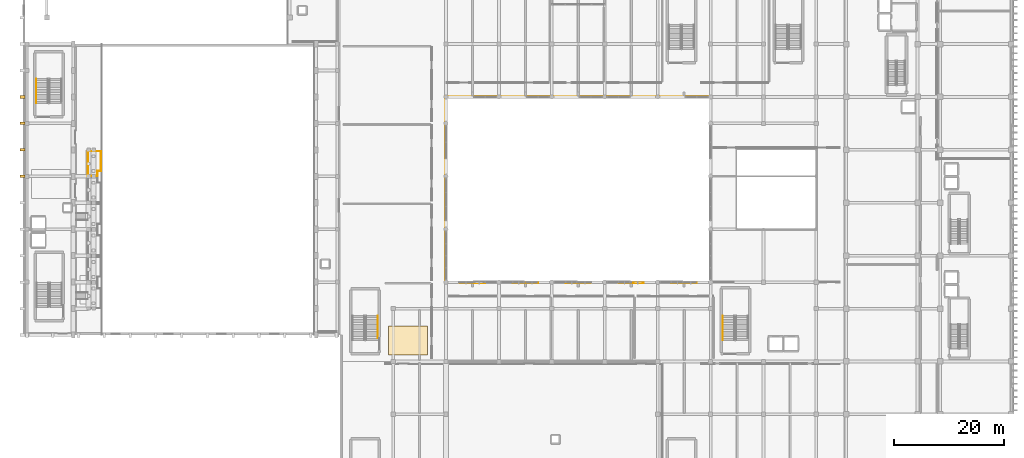
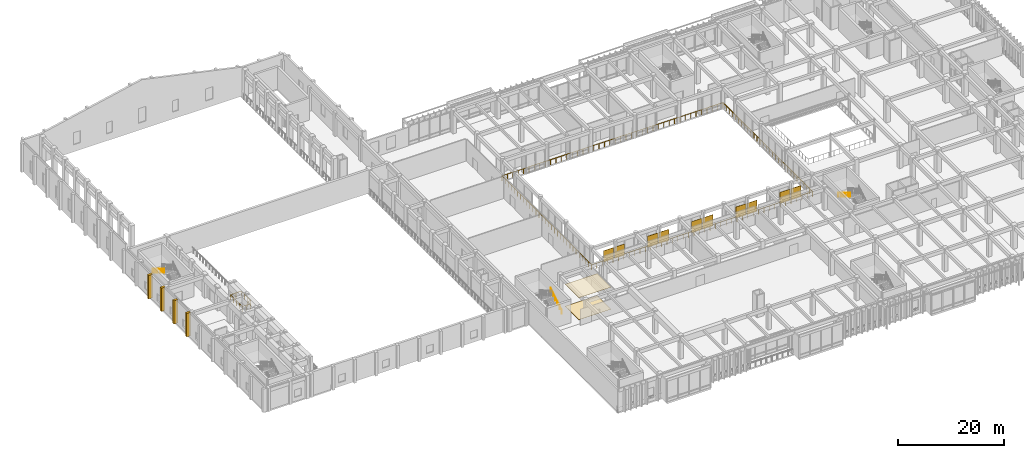
# One storey, part 122 of 134: 10 shading devices, 6 coverings, 5 railings.
"""IFC4 building model written with IfcOpenShell, lengths in metres."""

from ifc_helpers import new_model, si_unit, direction, frame, origin, origin_2d, place, context, subcontext, project, spatial, polyline, rectangle, circle, outline, extrude, material, layer, layer_set, type_object, element, save


model = new_model("IFC4")

# Units and contexts
model_context = context("Model", 3, precision=1e-05, world=origin(), true_north=direction((0.0, 1.0)))
body_context = subcontext(model_context, "Body", "Model", "MODEL_VIEW")
ifc_project = project(units=[si_unit("LENGTHUNIT", "METRE"), si_unit("AREAUNIT", "SQUARE_METRE"), si_unit("VOLUMEUNIT", "CUBIC_METRE"), si_unit("PLANEANGLEUNIT", "RADIAN"), si_unit("MASSUNIT", "GRAM", prefix="KILO")], contexts=[model_context])

# Site, building, storey
site_placement = place(None, origin())
site = spatial("IfcSite", under=ifc_project, at=site_placement, CompositionType="ELEMENT")
building_placement = place(site_placement, origin())
building = spatial("IfcBuilding", under=site, at=building_placement, Name="Nakhvara Creek Congress Hotel", CompositionType="ELEMENT")
storey_placement = place(building_placement, frame((0.0, 0.0, 6.0)))
storey = spatial("IfcBuildingStorey", under=building, at=storey_placement, Name="L01", CompositionType="ELEMENT", Elevation=6.0)

# Coverings
ifc_material_1 = material(Name="Honed pale Omani limestone architectural cladding", Category="masonry")
ifc_layer_1 = layer(ifc_material_1, 0.449951171875)
ifc_layer_set_1 = layer_set([ifc_layer_1], Name="Honed pale Omani limestone architectural cladding")
covering_type_1 = type_object("IfcCoveringType", Name="COV-BUTT-850", PredefinedType="CLADDING", material=ifc_layer_set_1)
for number, where, z_axis, x_axis, name in (
    (1, (-0.06494140625, 62.39990234375, 0.0), (0.0, 0.0, 1.0), (0.0, 1.0, 0.0), "Gothic Limestone Buttress Pier CF03-0440"),
    (2, (-0.06494140625, 67.199951171875, 0.0), (0.0, 0.0, 1.0), (0.0, 1.0, 0.0), "Gothic Limestone Buttress Pier CF03-0441"),
    (3, (-0.06494140625, 72.0, 0.0), (0.0, 0.0, 1.0), (0.0, 1.0, 0.0), "Gothic Limestone Buttress Pier CF03-0442"),
    (4, (-0.06494140625, 76.800048828125, 0.0), (0.0, 0.0, 1.0), (0.0, 1.0, 0.0), "Gothic Limestone Buttress Pier CF03-0443"),
):
    element("IfcCovering", number, at=place(storey_placement, frame(where, z_axis=z_axis, x_axis=x_axis)), inside=storey, type_object=covering_type_1, Name=name, PredefinedType="CLADDING", context=body_context, shape_type="SweptSolid", body=[
        extrude(rectangle(XDim=0.47998046875, YDim=0.85009765625, at=origin_2d()), origin(), (0.0, 0.0, 1.0), 5.39990234375),
    ])
ifc_material_2 = material(Name="Acoustic mineral-fibre and gypsum ceiling board")
ifc_layer_2 = layer(ifc_material_2, 0.0400390625)
ifc_layer_set_2 = layer_set([ifc_layer_2], Name="Acoustic mineral-fibre and gypsum ceiling board")
covering_type_2 = type_object("IfcCoveringType", Name="COV-CEIL-AC", PredefinedType="CEILING", material=ifc_layer_set_2)
covering_1_placement = place(storey_placement, frame((0.0, 0.0, 5.06494140625)))
element("IfcCovering", 5, at=covering_1_placement, inside=storey, type_object=covering_type_2, Name="Acoustic Ceiling L01-MT-01", PredefinedType="CEILING", context=body_context, shape_type="SweptSolid", body=[
    extrude(outline(polyline([(66.39990234375, 30.0), (73.39990234375, 30.0), (73.39990234375, 35.199951171875), (66.39990234375, 35.199951171875), (66.39990234375, 30.0)])), origin(), (0.0, 0.0, 1.0), 0.03515625),
])
ifc_material_3 = material(Name="Honed limestone and terrazzo acoustic floor finish", Category="masonry")
ifc_layer_3 = layer(ifc_material_3, 0.044921875)
ifc_layer_set_3 = layer_set([ifc_layer_3], Name="Honed limestone and terrazzo acoustic floor finish")
covering_type_3 = type_object("IfcCoveringType", Name="COV-FLR-TER", PredefinedType="FLOORING", material=ifc_layer_set_3)
covering_2_placement = place(storey_placement, origin())
element("IfcCovering", 6, at=covering_2_placement, inside=storey, type_object=covering_type_3, Name="Floor Finish L01-MT-01", PredefinedType="FLOORING", context=body_context, shape_type="SweptSolid", body=[
    extrude(outline(polyline([(66.39990234375, 30.0), (73.39990234375, 30.0), (73.39990234375, 35.199951171875), (66.39990234375, 35.199951171875), (66.39990234375, 30.0)])), origin(), (0.0, 0.0, 1.0), 0.030029296875),
])

# Railings
ifc_material_4 = material(Name="Bronze-anodised aluminium and laminated safety glass balustrade", Category="aluminium")
railing_type_1 = type_object("IfcRailingType", Name="RL-BALUS-1200", PredefinedType="BALUSTRADE", material=ifc_material_4)
railing_1_placement = place(storey_placement, frame((11.81005859375, 62.4599609375, 1.35009765625)))
element("IfcRailing", 7, at=railing_1_placement, inside=storey, type_object=railing_type_1, Name="Stand Tier Balustrade L01-06", PredefinedType="BALUSTRADE", context=body_context, shape_type="SweptSolid", body=[
    extrude(circle(Radius=0.02392578125, at=origin_2d()), frame((0.0146484375, 0.0, 1.17578125), z_axis=(1.0, 0.0, 0.0), x_axis=(0.0, 1.0, 0.0)), (0.0, 0.0, 1.0), 1.690673828125),
    extrude(circle(Radius=0.02392578125, at=origin_2d()), frame((1.719970703125, 0.0146484375, 1.17578125), z_axis=(0.0, 1.0, 0.0), x_axis=(-1.0, 0.0, 0.0)), (0.0, 0.0, 1.0), 0.870849609375),
    extrude(circle(Radius=0.02392578125, at=origin_2d()), frame((1.734619140625, 0.900146484375, 1.17578125), z_axis=(1.0, 0.0, 0.0), x_axis=(0.0, 1.0, 0.0)), (0.0, 0.0, 1.0), 0.62060546875),
    extrude(circle(Radius=0.02392578125, at=origin_2d()), frame((2.369873046875, 0.914794921875, 1.17578125), z_axis=(0.0, 1.0, 0.0), x_axis=(-1.0, 0.0, 0.0)), (0.0, 0.0, 1.0), 3.550537109375),
    extrude(circle(Radius=0.02392578125, at=origin_2d()), frame((2.355224609375, 4.47998046875, 1.17578125), z_axis=(-1.0, 0.0, 0.0), x_axis=(0.0, -1.0, 0.0)), (0.0, 0.0, 1.0), 2.340576171875),
    extrude(circle(Radius=0.02392578125, at=origin_2d()), frame((0.0, 4.46533203125, 1.17578125), z_axis=(0.0, -1.0, 0.0), x_axis=(1.0, 0.0, 0.0)), (0.0, 0.0, 1.0), 4.45068359375),
    extrude(circle(Radius=0.02099609375, at=origin_2d()), origin(), (0.0, 0.0, 1.0), 1.1806640625),
    extrude(circle(Radius=0.02099609375, at=origin_2d()), frame((0.85986328125, 0.0, 0.0)), (0.0, 0.0, 1.0), 1.1806640625),
    extrude(circle(Radius=0.02099609375, at=origin_2d()), frame((1.719970703125, 0.0, 0.0)), (0.0, 0.0, 1.0), 1.1806640625),
    extrude(circle(Radius=0.02099609375, at=origin_2d()), frame((1.719970703125, 0.900146484375, 0.0)), (0.0, 0.0, 1.0), 1.1806640625),
    extrude(circle(Radius=0.02099609375, at=origin_2d()), frame((2.369873046875, 0.900146484375, 0.0)), (0.0, 0.0, 1.0), 1.1806640625),
    extrude(circle(Radius=0.02099609375, at=origin_2d()), frame((2.369873046875, 2.093505859375, 0.0)), (0.0, 0.0, 1.0), 1.1806640625),
    extrude(circle(Radius=0.02099609375, at=origin_2d()), frame((2.369873046875, 3.28662109375, 0.0)), (0.0, 0.0, 1.0), 1.1806640625),
    extrude(circle(Radius=0.02099609375, at=origin_2d()), frame((2.369873046875, 4.47998046875, 0.0)), (0.0, 0.0, 1.0), 1.1806640625),
    extrude(circle(Radius=0.02099609375, at=origin_2d()), frame((1.18505859375, 4.47998046875, 0.0)), (0.0, 0.0, 1.0), 1.1806640625),
    extrude(circle(Radius=0.02099609375, at=origin_2d()), frame((0.0, 4.47998046875, 0.0)), (0.0, 0.0, 1.0), 1.1806640625),
    extrude(circle(Radius=0.02099609375, at=origin_2d()), frame((0.0, 3.35986328125, 0.0)), (0.0, 0.0, 1.0), 1.1806640625),
    extrude(circle(Radius=0.02099609375, at=origin_2d()), frame((0.0, 2.239990234375, 0.0)), (0.0, 0.0, 1.0), 1.1806640625),
    extrude(circle(Radius=0.02099609375, at=origin_2d()), frame((0.0, 1.1201171875, 0.0)), (0.0, 0.0, 1.0), 1.1806640625),
])
ifc_material_5 = material(Name="Brushed stainless steel 316L", Category="steel")
railing_type_2 = type_object("IfcRailingType", Name="RL-GUARD-1200", PredefinedType="GUARDRAIL", material=ifc_material_5)
railing_2_placement = place(storey_placement, frame((76.719970703125, 43.1201171875, 0.0)))
element("IfcRailing", 8, at=railing_2_placement, inside=storey, type_object=railing_type_2, Name="Cloister Courtyard Perimeter Guardrail L01", PredefinedType="GUARDRAIL", context=body_context, shape_type="SweptSolid", body=[
    extrude(circle(Radius=0.02392578125, at=origin_2d()), frame((0.0146484375, 0.0, 1.17578125), z_axis=(1.0, 0.0, 0.0), x_axis=(0.0, 1.0, 0.0)), (0.0, 0.0, 1.0), 48.130615234375),
    extrude(circle(Radius=0.02392578125, at=origin_2d()), frame((48.159912109375, 0.0146484375, 1.17578125), z_axis=(0.0, 1.0, 0.0), x_axis=(-1.0, 0.0, 0.0)), (0.0, 0.0, 1.0), 33.73046875),
    extrude(circle(Radius=0.02392578125, at=origin_2d()), frame((48.145263671875, 33.759765625, 1.17578125), z_axis=(-1.0, 0.0, 0.0), x_axis=(0.0, -1.0, 0.0)), (0.0, 0.0, 1.0), 48.130615234375),
    extrude(circle(Radius=0.02392578125, at=origin_2d()), frame((0.0, 33.7451171875, 1.17578125), z_axis=(0.0, -1.0, 0.0), x_axis=(1.0, 0.0, 0.0)), (0.0, 0.0, 1.0), 33.73046875),
    extrude(circle(Radius=0.02099609375, at=origin_2d()), origin(), (0.0, 0.0, 1.0), 1.1806640625),
    extrude(circle(Radius=0.02099609375, at=origin_2d()), frame((1.174560546875, 0.0, 0.0)), (0.0, 0.0, 1.0), 1.1806640625),
    extrude(circle(Radius=0.02099609375, at=origin_2d()), frame((2.349365234375, 0.0, 0.0)), (0.0, 0.0, 1.0), 1.1806640625),
    extrude(circle(Radius=0.02099609375, at=origin_2d()), frame((3.52392578125, 0.0, 0.0)), (0.0, 0.0, 1.0), 1.1806640625),
    extrude(circle(Radius=0.02099609375, at=origin_2d()), frame((4.698486328125, 0.0, 0.0)), (0.0, 0.0, 1.0), 1.1806640625),
    extrude(circle(Radius=0.02099609375, at=origin_2d()), frame((5.873046875, 0.0, 0.0)), (0.0, 0.0, 1.0), 1.1806640625),
    extrude(circle(Radius=0.02099609375, at=origin_2d()), frame((7.0478515625, 0.0, 0.0)), (0.0, 0.0, 1.0), 1.1806640625),
    extrude(circle(Radius=0.02099609375, at=origin_2d()), frame((8.222412109375, 0.0, 0.0)), (0.0, 0.0, 1.0), 1.1806640625),
    extrude(circle(Radius=0.02099609375, at=origin_2d()), frame((9.39697265625, 0.0, 0.0)), (0.0, 0.0, 1.0), 1.1806640625),
    extrude(circle(Radius=0.02099609375, at=origin_2d()), frame((10.57177734375, 0.0, 0.0)), (0.0, 0.0, 1.0), 1.1806640625),
    extrude(circle(Radius=0.02099609375, at=origin_2d()), frame((11.746337890625, 0.0, 0.0)), (0.0, 0.0, 1.0), 1.1806640625),
    extrude(circle(Radius=0.02099609375, at=origin_2d()), frame((12.9208984375, 0.0, 0.0)), (0.0, 0.0, 1.0), 1.1806640625),
    extrude(circle(Radius=0.02099609375, at=origin_2d()), frame((14.095703125, 0.0, 0.0)), (0.0, 0.0, 1.0), 1.1806640625),
    extrude(circle(Radius=0.02099609375, at=origin_2d()), frame((15.270263671875, 0.0, 0.0)), (0.0, 0.0, 1.0), 1.1806640625),
    extrude(circle(Radius=0.02099609375, at=origin_2d()), frame((16.44482421875, 0.0, 0.0)), (0.0, 0.0, 1.0), 1.1806640625),
    extrude(circle(Radius=0.02099609375, at=origin_2d()), frame((17.619384765625, 0.0, 0.0)), (0.0, 0.0, 1.0), 1.1806640625),
    extrude(circle(Radius=0.02099609375, at=origin_2d()), frame((18.794189453125, 0.0, 0.0)), (0.0, 0.0, 1.0), 1.1806640625),
    extrude(circle(Radius=0.02099609375, at=origin_2d()), frame((19.96875, 0.0, 0.0)), (0.0, 0.0, 1.0), 1.1806640625),
    extrude(circle(Radius=0.02099609375, at=origin_2d()), frame((21.143310546875, 0.0, 0.0)), (0.0, 0.0, 1.0), 1.1806640625),
    extrude(circle(Radius=0.02099609375, at=origin_2d()), frame((22.318115234375, 0.0, 0.0)), (0.0, 0.0, 1.0), 1.1806640625),
    extrude(circle(Radius=0.02099609375, at=origin_2d()), frame((23.49267578125, 0.0, 0.0)), (0.0, 0.0, 1.0), 1.1806640625),
    extrude(circle(Radius=0.02099609375, at=origin_2d()), frame((24.667236328125, 0.0, 0.0)), (0.0, 0.0, 1.0), 1.1806640625),
    extrude(circle(Radius=0.02099609375, at=origin_2d()), frame((25.841796875, 0.0, 0.0)), (0.0, 0.0, 1.0), 1.1806640625),
    extrude(circle(Radius=0.02099609375, at=origin_2d()), frame((27.0166015625, 0.0, 0.0)), (0.0, 0.0, 1.0), 1.1806640625),
    extrude(circle(Radius=0.02099609375, at=origin_2d()), frame((28.191162109375, 0.0, 0.0)), (0.0, 0.0, 1.0), 1.1806640625),
    extrude(circle(Radius=0.02099609375, at=origin_2d()), frame((29.36572265625, 0.0, 0.0)), (0.0, 0.0, 1.0), 1.1806640625),
    extrude(circle(Radius=0.02099609375, at=origin_2d()), frame((30.54052734375, 0.0, 0.0)), (0.0, 0.0, 1.0), 1.1806640625),
    extrude(circle(Radius=0.02099609375, at=origin_2d()), frame((31.715087890625, 0.0, 0.0)), (0.0, 0.0, 1.0), 1.1806640625),
    extrude(circle(Radius=0.02099609375, at=origin_2d()), frame((32.8896484375, 0.0, 0.0)), (0.0, 0.0, 1.0), 1.1806640625),
    extrude(circle(Radius=0.02099609375, at=origin_2d()), frame((34.064208984375, 0.0, 0.0)), (0.0, 0.0, 1.0), 1.1806640625),
    extrude(circle(Radius=0.02099609375, at=origin_2d()), frame((35.239013671875, 0.0, 0.0)), (0.0, 0.0, 1.0), 1.1806640625),
    extrude(circle(Radius=0.02099609375, at=origin_2d()), frame((36.41357421875, 0.0, 0.0)), (0.0, 0.0, 1.0), 1.1806640625),
    extrude(circle(Radius=0.02099609375, at=origin_2d()), frame((37.588134765625, 0.0, 0.0)), (0.0, 0.0, 1.0), 1.1806640625),
    extrude(circle(Radius=0.02099609375, at=origin_2d()), frame((38.762939453125, 0.0, 0.0)), (0.0, 0.0, 1.0), 1.1806640625),
    extrude(circle(Radius=0.02099609375, at=origin_2d()), frame((39.9375, 0.0, 0.0)), (0.0, 0.0, 1.0), 1.1806640625),
    extrude(circle(Radius=0.02099609375, at=origin_2d()), frame((41.112060546875, 0.0, 0.0)), (0.0, 0.0, 1.0), 1.1806640625),
    extrude(circle(Radius=0.02099609375, at=origin_2d()), frame((42.286865234375, 0.0, 0.0)), (0.0, 0.0, 1.0), 1.1806640625),
    extrude(circle(Radius=0.02099609375, at=origin_2d()), frame((43.46142578125, 0.0, 0.0)), (0.0, 0.0, 1.0), 1.1806640625),
    extrude(circle(Radius=0.02099609375, at=origin_2d()), frame((44.635986328125, 0.0, 0.0)), (0.0, 0.0, 1.0), 1.1806640625),
    extrude(circle(Radius=0.02099609375, at=origin_2d()), frame((45.810546875, 0.0, 0.0)), (0.0, 0.0, 1.0), 1.1806640625),
    extrude(circle(Radius=0.02099609375, at=origin_2d()), frame((46.9853515625, 0.0, 0.0)), (0.0, 0.0, 1.0), 1.1806640625),
    extrude(circle(Radius=0.02099609375, at=origin_2d()), frame((48.159912109375, 0.0, 0.0)), (0.0, 0.0, 1.0), 1.1806640625),
    extrude(circle(Radius=0.02099609375, at=origin_2d()), frame((48.159912109375, 1.1640625, 0.0)), (0.0, 0.0, 1.0), 1.1806640625),
    extrude(circle(Radius=0.02099609375, at=origin_2d()), frame((48.159912109375, 2.328369140625, 0.0)), (0.0, 0.0, 1.0), 1.1806640625),
    extrude(circle(Radius=0.02099609375, at=origin_2d()), frame((48.159912109375, 3.492431640625, 0.0)), (0.0, 0.0, 1.0), 1.1806640625),
    extrude(circle(Radius=0.02099609375, at=origin_2d()), frame((48.159912109375, 4.656494140625, 0.0)), (0.0, 0.0, 1.0), 1.1806640625),
    extrude(circle(Radius=0.02099609375, at=origin_2d()), frame((48.159912109375, 5.820556640625, 0.0)), (0.0, 0.0, 1.0), 1.1806640625),
    extrude(circle(Radius=0.02099609375, at=origin_2d()), frame((48.159912109375, 6.98486328125, 0.0)), (0.0, 0.0, 1.0), 1.1806640625),
    extrude(circle(Radius=0.02099609375, at=origin_2d()), frame((48.159912109375, 8.14892578125, 0.0)), (0.0, 0.0, 1.0), 1.1806640625),
    extrude(circle(Radius=0.02099609375, at=origin_2d()), frame((48.159912109375, 9.31298828125, 0.0)), (0.0, 0.0, 1.0), 1.1806640625),
    extrude(circle(Radius=0.02099609375, at=origin_2d()), frame((48.159912109375, 10.47705078125, 0.0)), (0.0, 0.0, 1.0), 1.1806640625),
    extrude(circle(Radius=0.02099609375, at=origin_2d()), frame((48.159912109375, 11.641357421875, 0.0)), (0.0, 0.0, 1.0), 1.1806640625),
    extrude(circle(Radius=0.02099609375, at=origin_2d()), frame((48.159912109375, 12.805419921875, 0.0)), (0.0, 0.0, 1.0), 1.1806640625),
    extrude(circle(Radius=0.02099609375, at=origin_2d()), frame((48.159912109375, 13.969482421875, 0.0)), (0.0, 0.0, 1.0), 1.1806640625),
    extrude(circle(Radius=0.02099609375, at=origin_2d()), frame((48.159912109375, 15.1337890625, 0.0)), (0.0, 0.0, 1.0), 1.1806640625),
    extrude(circle(Radius=0.02099609375, at=origin_2d()), frame((48.159912109375, 16.2978515625, 0.0)), (0.0, 0.0, 1.0), 1.1806640625),
    extrude(circle(Radius=0.02099609375, at=origin_2d()), frame((48.159912109375, 17.4619140625, 0.0)), (0.0, 0.0, 1.0), 1.1806640625),
    extrude(circle(Radius=0.02099609375, at=origin_2d()), frame((48.159912109375, 18.6259765625, 0.0)), (0.0, 0.0, 1.0), 1.1806640625),
    extrude(circle(Radius=0.02099609375, at=origin_2d()), frame((48.159912109375, 19.790283203125, 0.0)), (0.0, 0.0, 1.0), 1.1806640625),
    extrude(circle(Radius=0.02099609375, at=origin_2d()), frame((48.159912109375, 20.954345703125, 0.0)), (0.0, 0.0, 1.0), 1.1806640625),
    extrude(circle(Radius=0.02099609375, at=origin_2d()), frame((48.159912109375, 22.118408203125, 0.0)), (0.0, 0.0, 1.0), 1.1806640625),
    extrude(circle(Radius=0.02099609375, at=origin_2d()), frame((48.159912109375, 23.28271484375, 0.0)), (0.0, 0.0, 1.0), 1.1806640625),
    extrude(circle(Radius=0.02099609375, at=origin_2d()), frame((48.159912109375, 24.44677734375, 0.0)), (0.0, 0.0, 1.0), 1.1806640625),
    extrude(circle(Radius=0.02099609375, at=origin_2d()), frame((48.159912109375, 25.61083984375, 0.0)), (0.0, 0.0, 1.0), 1.1806640625),
    extrude(circle(Radius=0.02099609375, at=origin_2d()), frame((48.159912109375, 26.77490234375, 0.0)), (0.0, 0.0, 1.0), 1.1806640625),
    extrude(circle(Radius=0.02099609375, at=origin_2d()), frame((48.159912109375, 27.939208984375, 0.0)), (0.0, 0.0, 1.0), 1.1806640625),
    extrude(circle(Radius=0.02099609375, at=origin_2d()), frame((48.159912109375, 29.103271484375, 0.0)), (0.0, 0.0, 1.0), 1.1806640625),
    extrude(circle(Radius=0.02099609375, at=origin_2d()), frame((48.159912109375, 30.267333984375, 0.0)), (0.0, 0.0, 1.0), 1.1806640625),
    extrude(circle(Radius=0.02099609375, at=origin_2d()), frame((48.159912109375, 31.431396484375, 0.0)), (0.0, 0.0, 1.0), 1.1806640625),
    extrude(circle(Radius=0.02099609375, at=origin_2d()), frame((48.159912109375, 32.595703125, 0.0)), (0.0, 0.0, 1.0), 1.1806640625),
    extrude(circle(Radius=0.02099609375, at=origin_2d()), frame((48.159912109375, 33.759765625, 0.0)), (0.0, 0.0, 1.0), 1.1806640625),
    extrude(circle(Radius=0.02099609375, at=origin_2d()), frame((46.9853515625, 33.759765625, 0.0)), (0.0, 0.0, 1.0), 1.1806640625),
    extrude(circle(Radius=0.02099609375, at=origin_2d()), frame((45.810546875, 33.759765625, 0.0)), (0.0, 0.0, 1.0), 1.1806640625),
    extrude(circle(Radius=0.02099609375, at=origin_2d()), frame((44.635986328125, 33.759765625, 0.0)), (0.0, 0.0, 1.0), 1.1806640625),
    extrude(circle(Radius=0.02099609375, at=origin_2d()), frame((43.46142578125, 33.759765625, 0.0)), (0.0, 0.0, 1.0), 1.1806640625),
    extrude(circle(Radius=0.02099609375, at=origin_2d()), frame((42.286865234375, 33.759765625, 0.0)), (0.0, 0.0, 1.0), 1.1806640625),
    extrude(circle(Radius=0.02099609375, at=origin_2d()), frame((41.112060546875, 33.759765625, 0.0)), (0.0, 0.0, 1.0), 1.1806640625),
    extrude(circle(Radius=0.02099609375, at=origin_2d()), frame((39.9375, 33.759765625, 0.0)), (0.0, 0.0, 1.0), 1.1806640625),
    extrude(circle(Radius=0.02099609375, at=origin_2d()), frame((38.762939453125, 33.759765625, 0.0)), (0.0, 0.0, 1.0), 1.1806640625),
    extrude(circle(Radius=0.02099609375, at=origin_2d()), frame((37.588134765625, 33.759765625, 0.0)), (0.0, 0.0, 1.0), 1.1806640625),
    extrude(circle(Radius=0.02099609375, at=origin_2d()), frame((36.41357421875, 33.759765625, 0.0)), (0.0, 0.0, 1.0), 1.1806640625),
    extrude(circle(Radius=0.02099609375, at=origin_2d()), frame((35.239013671875, 33.759765625, 0.0)), (0.0, 0.0, 1.0), 1.1806640625),
    extrude(circle(Radius=0.02099609375, at=origin_2d()), frame((34.064208984375, 33.759765625, 0.0)), (0.0, 0.0, 1.0), 1.1806640625),
    extrude(circle(Radius=0.02099609375, at=origin_2d()), frame((32.8896484375, 33.759765625, 0.0)), (0.0, 0.0, 1.0), 1.1806640625),
    extrude(circle(Radius=0.02099609375, at=origin_2d()), frame((31.715087890625, 33.759765625, 0.0)), (0.0, 0.0, 1.0), 1.1806640625),
    extrude(circle(Radius=0.02099609375, at=origin_2d()), frame((30.54052734375, 33.759765625, 0.0)), (0.0, 0.0, 1.0), 1.1806640625),
    extrude(circle(Radius=0.02099609375, at=origin_2d()), frame((29.36572265625, 33.759765625, 0.0)), (0.0, 0.0, 1.0), 1.1806640625),
    extrude(circle(Radius=0.02099609375, at=origin_2d()), frame((28.191162109375, 33.759765625, 0.0)), (0.0, 0.0, 1.0), 1.1806640625),
    extrude(circle(Radius=0.02099609375, at=origin_2d()), frame((27.0166015625, 33.759765625, 0.0)), (0.0, 0.0, 1.0), 1.1806640625),
    extrude(circle(Radius=0.02099609375, at=origin_2d()), frame((25.841796875, 33.759765625, 0.0)), (0.0, 0.0, 1.0), 1.1806640625),
    extrude(circle(Radius=0.02099609375, at=origin_2d()), frame((24.667236328125, 33.759765625, 0.0)), (0.0, 0.0, 1.0), 1.1806640625),
    extrude(circle(Radius=0.02099609375, at=origin_2d()), frame((23.49267578125, 33.759765625, 0.0)), (0.0, 0.0, 1.0), 1.1806640625),
    extrude(circle(Radius=0.02099609375, at=origin_2d()), frame((22.318115234375, 33.759765625, 0.0)), (0.0, 0.0, 1.0), 1.1806640625),
    extrude(circle(Radius=0.02099609375, at=origin_2d()), frame((21.143310546875, 33.759765625, 0.0)), (0.0, 0.0, 1.0), 1.1806640625),
    extrude(circle(Radius=0.02099609375, at=origin_2d()), frame((19.96875, 33.759765625, 0.0)), (0.0, 0.0, 1.0), 1.1806640625),
    extrude(circle(Radius=0.02099609375, at=origin_2d()), frame((18.794189453125, 33.759765625, 0.0)), (0.0, 0.0, 1.0), 1.1806640625),
    extrude(circle(Radius=0.02099609375, at=origin_2d()), frame((17.619384765625, 33.759765625, 0.0)), (0.0, 0.0, 1.0), 1.1806640625),
    extrude(circle(Radius=0.02099609375, at=origin_2d()), frame((16.44482421875, 33.759765625, 0.0)), (0.0, 0.0, 1.0), 1.1806640625),
    extrude(circle(Radius=0.02099609375, at=origin_2d()), frame((15.270263671875, 33.759765625, 0.0)), (0.0, 0.0, 1.0), 1.1806640625),
    extrude(circle(Radius=0.02099609375, at=origin_2d()), frame((14.095703125, 33.759765625, 0.0)), (0.0, 0.0, 1.0), 1.1806640625),
    extrude(circle(Radius=0.02099609375, at=origin_2d()), frame((12.9208984375, 33.759765625, 0.0)), (0.0, 0.0, 1.0), 1.1806640625),
    extrude(circle(Radius=0.02099609375, at=origin_2d()), frame((11.746337890625, 33.759765625, 0.0)), (0.0, 0.0, 1.0), 1.1806640625),
    extrude(circle(Radius=0.02099609375, at=origin_2d()), frame((10.57177734375, 33.759765625, 0.0)), (0.0, 0.0, 1.0), 1.1806640625),
    extrude(circle(Radius=0.02099609375, at=origin_2d()), frame((9.39697265625, 33.759765625, 0.0)), (0.0, 0.0, 1.0), 1.1806640625),
    extrude(circle(Radius=0.02099609375, at=origin_2d()), frame((8.222412109375, 33.759765625, 0.0)), (0.0, 0.0, 1.0), 1.1806640625),
    extrude(circle(Radius=0.02099609375, at=origin_2d()), frame((7.0478515625, 33.759765625, 0.0)), (0.0, 0.0, 1.0), 1.1806640625),
    extrude(circle(Radius=0.02099609375, at=origin_2d()), frame((5.873046875, 33.759765625, 0.0)), (0.0, 0.0, 1.0), 1.1806640625),
    extrude(circle(Radius=0.02099609375, at=origin_2d()), frame((4.698486328125, 33.759765625, 0.0)), (0.0, 0.0, 1.0), 1.1806640625),
    extrude(circle(Radius=0.02099609375, at=origin_2d()), frame((3.52392578125, 33.759765625, 0.0)), (0.0, 0.0, 1.0), 1.1806640625),
    extrude(circle(Radius=0.02099609375, at=origin_2d()), frame((2.349365234375, 33.759765625, 0.0)), (0.0, 0.0, 1.0), 1.1806640625),
    extrude(circle(Radius=0.02099609375, at=origin_2d()), frame((1.174560546875, 33.759765625, 0.0)), (0.0, 0.0, 1.0), 1.1806640625),
    extrude(circle(Radius=0.02099609375, at=origin_2d()), frame((0.0, 33.759765625, 0.0)), (0.0, 0.0, 1.0), 1.1806640625),
    extrude(circle(Radius=0.02099609375, at=origin_2d()), frame((0.0, 32.595703125, 0.0)), (0.0, 0.0, 1.0), 1.1806640625),
    extrude(circle(Radius=0.02099609375, at=origin_2d()), frame((0.0, 31.431396484375, 0.0)), (0.0, 0.0, 1.0), 1.1806640625),
    extrude(circle(Radius=0.02099609375, at=origin_2d()), frame((0.0, 30.267333984375, 0.0)), (0.0, 0.0, 1.0), 1.1806640625),
    extrude(circle(Radius=0.02099609375, at=origin_2d()), frame((0.0, 29.103271484375, 0.0)), (0.0, 0.0, 1.0), 1.1806640625),
    extrude(circle(Radius=0.02099609375, at=origin_2d()), frame((0.0, 27.939208984375, 0.0)), (0.0, 0.0, 1.0), 1.1806640625),
    extrude(circle(Radius=0.02099609375, at=origin_2d()), frame((0.0, 26.77490234375, 0.0)), (0.0, 0.0, 1.0), 1.1806640625),
    extrude(circle(Radius=0.02099609375, at=origin_2d()), frame((0.0, 25.61083984375, 0.0)), (0.0, 0.0, 1.0), 1.1806640625),
    extrude(circle(Radius=0.02099609375, at=origin_2d()), frame((0.0, 24.44677734375, 0.0)), (0.0, 0.0, 1.0), 1.1806640625),
    extrude(circle(Radius=0.02099609375, at=origin_2d()), frame((0.0, 23.28271484375, 0.0)), (0.0, 0.0, 1.0), 1.1806640625),
    extrude(circle(Radius=0.02099609375, at=origin_2d()), frame((0.0, 22.118408203125, 0.0)), (0.0, 0.0, 1.0), 1.1806640625),
    extrude(circle(Radius=0.02099609375, at=origin_2d()), frame((0.0, 20.954345703125, 0.0)), (0.0, 0.0, 1.0), 1.1806640625),
    extrude(circle(Radius=0.02099609375, at=origin_2d()), frame((0.0, 19.790283203125, 0.0)), (0.0, 0.0, 1.0), 1.1806640625),
    extrude(circle(Radius=0.02099609375, at=origin_2d()), frame((0.0, 18.6259765625, 0.0)), (0.0, 0.0, 1.0), 1.1806640625),
    extrude(circle(Radius=0.02099609375, at=origin_2d()), frame((0.0, 17.4619140625, 0.0)), (0.0, 0.0, 1.0), 1.1806640625),
    extrude(circle(Radius=0.02099609375, at=origin_2d()), frame((0.0, 16.2978515625, 0.0)), (0.0, 0.0, 1.0), 1.1806640625),
    extrude(circle(Radius=0.02099609375, at=origin_2d()), frame((0.0, 15.1337890625, 0.0)), (0.0, 0.0, 1.0), 1.1806640625),
    extrude(circle(Radius=0.02099609375, at=origin_2d()), frame((0.0, 13.969482421875, 0.0)), (0.0, 0.0, 1.0), 1.1806640625),
    extrude(circle(Radius=0.02099609375, at=origin_2d()), frame((0.0, 12.805419921875, 0.0)), (0.0, 0.0, 1.0), 1.1806640625),
    extrude(circle(Radius=0.02099609375, at=origin_2d()), frame((0.0, 11.641357421875, 0.0)), (0.0, 0.0, 1.0), 1.1806640625),
    extrude(circle(Radius=0.02099609375, at=origin_2d()), frame((0.0, 10.47705078125, 0.0)), (0.0, 0.0, 1.0), 1.1806640625),
    extrude(circle(Radius=0.02099609375, at=origin_2d()), frame((0.0, 9.31298828125, 0.0)), (0.0, 0.0, 1.0), 1.1806640625),
    extrude(circle(Radius=0.02099609375, at=origin_2d()), frame((0.0, 8.14892578125, 0.0)), (0.0, 0.0, 1.0), 1.1806640625),
    extrude(circle(Radius=0.02099609375, at=origin_2d()), frame((0.0, 6.98486328125, 0.0)), (0.0, 0.0, 1.0), 1.1806640625),
    extrude(circle(Radius=0.02099609375, at=origin_2d()), frame((0.0, 5.820556640625, 0.0)), (0.0, 0.0, 1.0), 1.1806640625),
    extrude(circle(Radius=0.02099609375, at=origin_2d()), frame((0.0, 4.656494140625, 0.0)), (0.0, 0.0, 1.0), 1.1806640625),
    extrude(circle(Radius=0.02099609375, at=origin_2d()), frame((0.0, 3.492431640625, 0.0)), (0.0, 0.0, 1.0), 1.1806640625),
    extrude(circle(Radius=0.02099609375, at=origin_2d()), frame((0.0, 2.328369140625, 0.0)), (0.0, 0.0, 1.0), 1.1806640625),
    extrude(circle(Radius=0.02099609375, at=origin_2d()), frame((0.0, 1.1640625, 0.0)), (0.0, 0.0, 1.0), 1.1806640625),
])
railing_type_3 = type_object("IfcRailingType", Name="RL-HAND-900", PredefinedType="HANDRAIL", material=ifc_material_5)
for number, where, name in (
    (9, (127.02490234375, 37.090087890625, 2.8798828125), "L01 ST06 stair handrail 2"),
    (10, (2.445068359375, 80.090087890625, 2.8798828125), "L01 ST07 stair handrail 2"),
):
    element("IfcRailing", number, at=place(storey_placement, frame(where)), inside=storey, type_object=railing_type_3, Name=name, PredefinedType="HANDRAIL", context=body_context, shape_type="SweptSolid", body=[
        extrude(circle(Radius=0.02392578125, at=origin_2d()), frame((0.0, -0.012451171875, 0.883544921875), z_axis=(0.0, -0.851896254754, 0.523710579553), x_axis=(1.0, 0.0, 0.0)), (0.0, 0.0, 1.0), 5.1474609375),
        extrude(circle(Radius=0.02099609375, at=origin_2d()), origin(), (0.0, 0.0, 1.0), 0.880615234375),
        extrude(circle(Radius=0.02099609375, at=origin_2d()), frame((0.0, -0.882080078125, 0.542236328125)), (0.0, 0.0, 1.0), 0.880615234375),
        extrude(circle(Radius=0.02099609375, at=origin_2d()), frame((0.0, -1.76416015625, 1.08447265625)), (0.0, 0.0, 1.0), 0.880615234375),
        extrude(circle(Radius=0.02099609375, at=origin_2d()), frame((0.0, -2.64599609375, 1.626708984375)), (0.0, 0.0, 1.0), 0.880615234375),
        extrude(circle(Radius=0.02099609375, at=origin_2d()), frame((0.0, -3.528076171875, 2.1689453125)), (0.0, 0.0, 1.0), 0.880615234375),
        extrude(circle(Radius=0.02099609375, at=origin_2d()), frame((0.0, -4.41015625, 2.711181640625)), (0.0, 0.0, 1.0), 0.880615234375),
    ])
railing_3_placement = place(storey_placement, frame((64.405029296875, 32.9951171875, 0.360107421875)))
element("IfcRailing", 11, at=railing_3_placement, inside=storey, type_object=railing_type_3, Name="L01 ST13 stair handrail 1", PredefinedType="HANDRAIL", context=body_context, shape_type="SweptSolid", body=[
    extrude(circle(Radius=0.02392578125, at=origin_2d()), frame((0.0, 0.012451171875, 0.883544921875), z_axis=(0.0, 0.850634571024, 0.52575738376), x_axis=(-1.0, 0.0, 0.0)), (0.0, 0.0, 1.0), 4.78466796875),
    extrude(circle(Radius=0.02099609375, at=origin_2d()), origin(), (0.0, 0.0, 1.0), 0.880615234375),
    extrude(circle(Radius=0.02099609375, at=origin_2d()), frame((0.0, 0.819091796875, 0.506103515625)), (0.0, 0.0, 1.0), 0.880615234375),
    extrude(circle(Radius=0.02099609375, at=origin_2d()), frame((0.0, 1.637939453125, 1.012451171875)), (0.0, 0.0, 1.0), 0.880615234375),
    extrude(circle(Radius=0.02099609375, at=origin_2d()), frame((0.0, 2.45703125, 1.5185546875)), (0.0, 0.0, 1.0), 0.880615234375),
    extrude(circle(Radius=0.02099609375, at=origin_2d()), frame((0.0, 3.27587890625, 2.02490234375)), (0.0, 0.0, 1.0), 0.880615234375),
    extrude(circle(Radius=0.02099609375, at=origin_2d()), frame((0.0, 4.094970703125, 2.531005859375)), (0.0, 0.0, 1.0), 0.880615234375),
])

# Shading devices
ifc_material_6 = material(Name="Champagne-bronze anodised aluminium mashrabiya", Category="aluminium")
shading_device_type = type_object("IfcShadingDeviceType", Name="SHD-SCR-2400X2600", PredefinedType="USERDEFINED", material=ifc_material_6)
for number, where, z_axis, x_axis, name in (
    (12, (80.39990234375, 43.050048828125, 0.89990234375), (0.0, 0.0, 1.0), (1.0, 0.0, 0.0), "Quatrefoil Mashrabiya Screen 001"),
    (13, (82.800048828125, 43.050048828125, 0.89990234375), (0.0, 0.0, 1.0), (1.0, 0.0, 0.0), "Quatrefoil Mashrabiya Screen 002"),
    (14, (90.0, 43.050048828125, 0.89990234375), (0.0, 0.0, 1.0), (1.0, 0.0, 0.0), "Quatrefoil Mashrabiya Screen 003"),
    (15, (92.39990234375, 43.050048828125, 0.89990234375), (0.0, 0.0, 1.0), (1.0, 0.0, 0.0), "Quatrefoil Mashrabiya Screen 004"),
    (16, (99.60009765625, 43.050048828125, 0.89990234375), (0.0, 0.0, 1.0), (1.0, 0.0, 0.0), "Quatrefoil Mashrabiya Screen 005"),
    (17, (102.0, 43.050048828125, 0.89990234375), (0.0, 0.0, 1.0), (1.0, 0.0, 0.0), "Quatrefoil Mashrabiya Screen 006"),
    (18, (109.199951171875, 43.050048828125, 0.89990234375), (0.0, 0.0, 1.0), (1.0, 0.0, 0.0), "Quatrefoil Mashrabiya Screen 007"),
    (19, (111.60009765625, 43.050048828125, 0.89990234375), (0.0, 0.0, 1.0), (1.0, 0.0, 0.0), "Quatrefoil Mashrabiya Screen 008"),
    (20, (118.800048828125, 43.050048828125, 0.89990234375), (0.0, 0.0, 1.0), (1.0, 0.0, 0.0), "Quatrefoil Mashrabiya Screen 009"),
    (21, (121.199951171875, 43.050048828125, 0.89990234375), (0.0, 0.0, 1.0), (1.0, 0.0, 0.0), "Quatrefoil Mashrabiya Screen 010"),
):
    element("IfcShadingDevice", number, at=place(storey_placement, frame(where, z_axis=z_axis, x_axis=x_axis)), inside=storey, type_object=shading_device_type, Name=name, ObjectType="SCREEN", PredefinedType="USERDEFINED", context=body_context, shape_type="SweptSolid", body=[
        extrude(rectangle(XDim=2.199951171875, YDim=0.06005859375, at=origin_2d()), origin(), (0.0, 0.0, 1.0), 2.60009765625),
    ])

save(model, "model.ifc")
